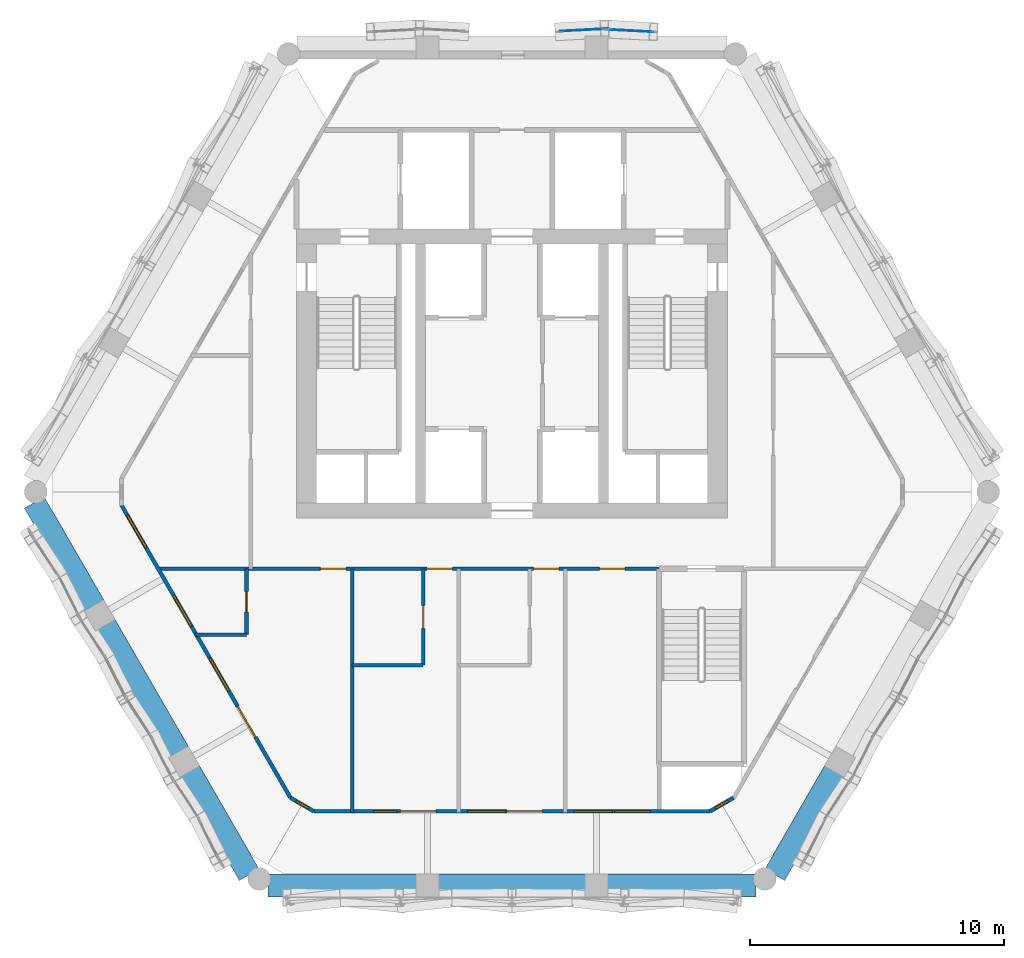
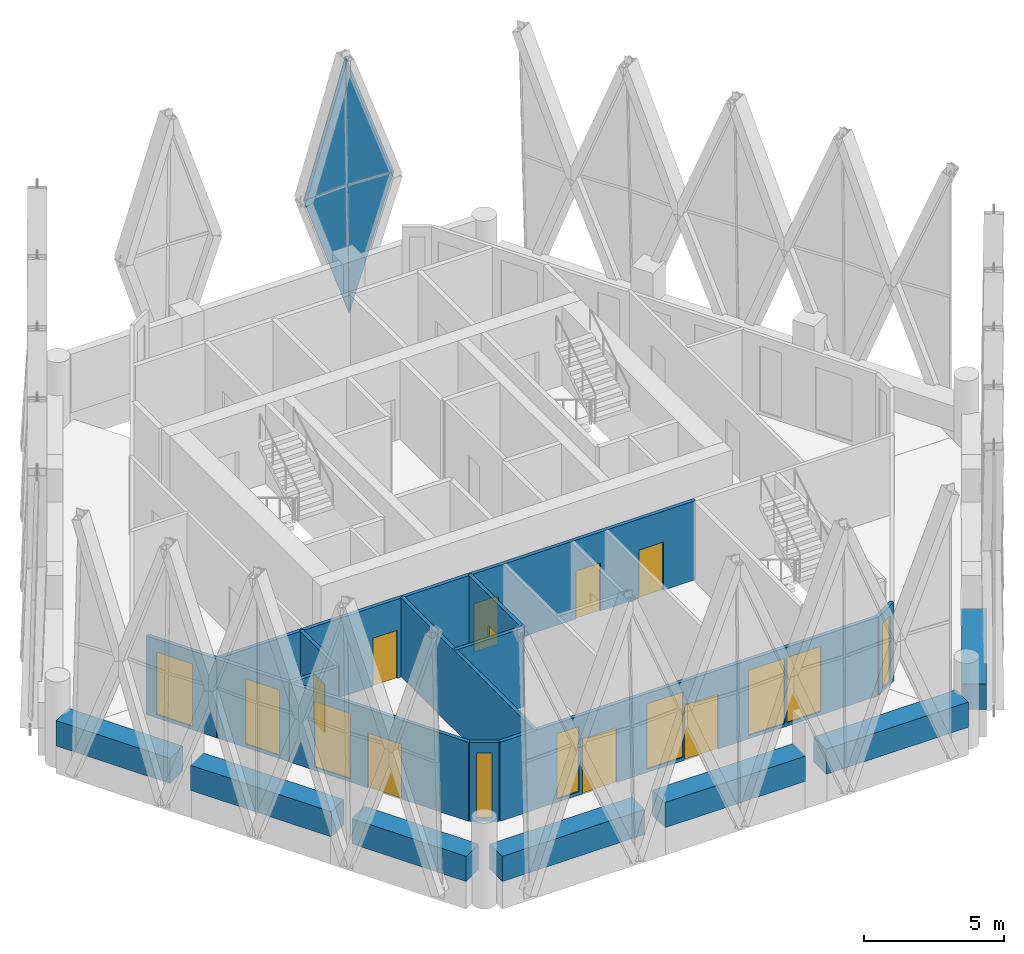
# One storey, part 12 of 22: 17 walls, 9 doors, 9 windows, 4 plates, 18 openings, 4 elements without a shape of their own.
"""IFC4 building model written with IfcOpenShell, lengths in metres."""

from ifc_helpers import new_model, si_unit, direction, frame, frame_2d, origin, place, context, subcontext, project, spatial, polyline, rectangle, outline, extrude, material, layer, layer_set, type_object, element, fill, aggregate, save


model = new_model("IFC4")

# Units and contexts
model_context = context("Model", 3, precision=1e-05, world=origin(), true_north=direction((0.0, 1.0)))
body_context = subcontext(model_context, "Body", "Model", "MODEL_VIEW")
ifc_project = project(units=[si_unit("LENGTHUNIT", "METRE"), si_unit("AREAUNIT", "SQUARE_METRE"), si_unit("VOLUMEUNIT", "CUBIC_METRE"), si_unit("PLANEANGLEUNIT", "RADIAN"), si_unit("MASSUNIT", "GRAM", prefix="KILO")], contexts=[model_context])

# Site, building, storey
site_placement = place(None, origin())
site = spatial("IfcSite", under=ifc_project, at=site_placement, CompositionType="ELEMENT")
building_placement = place(site_placement, origin())
building = spatial("IfcBuilding", under=site, at=building_placement, Name="Ostrander Bayou Hotel Tower", CompositionType="ELEMENT")
storey_placement = place(building_placement, frame((0.0, 0.0, 245.0)))
storey = spatial("IfcBuildingStorey", under=building, at=storey_placement, Name="L60", CompositionType="ELEMENT", Elevation=245.0)

# Curtain wall, plate
ifc_material_1 = material(Name="Aluminium and clear glass", Category="aluminium")
curtain_wall_type = type_object("IfcCurtainWallType", Name="CW-LAT lattice glazing", PredefinedType="NOTDEFINED", material=ifc_material_1)
curtain_wall_1_placement = place(storey_placement, origin())
curtain_wall_1 = element("IfcCurtainWall", 1, at=curtain_wall_1_placement, inside=storey, type_object=curtain_wall_type, Name="CW-LAT L60 N 1", PredefinedType="NOTDEFINED")
ifc_material_2 = material(Name="Clear laminated glass", Category="glass")
ifc_layer_1 = layer(ifc_material_2, 0.028076171875)
ifc_layer_set_1 = layer_set([ifc_layer_1], Name="CW-LA glazing panel 28 mm")
plate_type = type_object("IfcPlateType", Name="CW-LA glazing panel 28 mm", PredefinedType="CURTAIN_PANEL", material=ifc_layer_set_1)
plate_1_placement = place(storey_placement, frame((5.581787109375, 17.470703125, 5.02490234375), z_axis=(0.053329057142, 0.998576767754, 0.000671242473), x_axis=(-0.303164122078, 0.016830964082, -0.952789711181)))
plate_1 = element("IfcPlate", 2, at=plate_1_placement, type_object=plate_type, Name="CW-LAT panel 1", PredefinedType="CURTAIN_PANEL", context=body_context, shape_type="SweptSolid", body=[
    extrude(outline(polyline([(0.0, 0.0), (5.903716144274887, 2.220446049250313e-16), (0.5657382755701906, 1.7752830827348296), (0.0, 0.0)])), origin(), (0.0, 0.0, -1.0), 0.028076171875),
])
aggregate(curtain_wall_1, [plate_1])

curtain_wall_2_placement = place(storey_placement, origin())
curtain_wall_2 = element("IfcCurtainWall", 3, at=curtain_wall_2_placement, inside=storey, type_object=curtain_wall_type, Name="CW-LAT L60 N 2", PredefinedType="NOTDEFINED")
plate_2_placement = place(storey_placement, frame((5.581787109375, 17.470703125, 5.02490234375), z_axis=(0.053329057142, 0.998576767754, 0.000671242473), x_axis=(-0.324704022314, 0.016705162063, 0.945668142349)))
plate_2 = element("IfcPlate", 4, at=plate_2_placement, type_object=plate_type, Name="CW-LAT panel 2", PredefinedType="CURTAIN_PANEL", context=body_context, shape_type="SweptSolid", body=[
    extrude(outline(polyline([(0.0, 0.0), (5.948175420215724, 2.220446049250313e-16), (0.6058028210490418, -1.7620138371473237), (0.0, 0.0)])), origin(), (0.0, 0.0, -1.0), 0.028076171875),
])
aggregate(curtain_wall_2, [plate_2])

curtain_wall_3_placement = place(storey_placement, origin())
curtain_wall_3 = element("IfcCurtainWall", 5, at=curtain_wall_3_placement, inside=storey, type_object=curtain_wall_type, Name="CW-LAT L60 N 3", PredefinedType="NOTDEFINED")
plate_3_placement = place(storey_placement, frame((1.860595703125, 17.470703125, 5.02490234375), z_axis=(0.053329057142, -0.998576767754, 0.000671242473), x_axis=(0.324704022314, 0.016705162063, -0.945668142349)))
plate_3 = element("IfcPlate", 6, at=plate_3_placement, type_object=plate_type, Name="CW-LAT panel 3", PredefinedType="CURTAIN_PANEL", context=body_context, shape_type="SweptSolid", body=[
    extrude(outline(polyline([(0.0, 0.0), (5.948175420215724, -2.220446049250313e-16), (0.6058028210490418, 1.7620138371473237), (0.0, 0.0)])), origin(), (0.0, 0.0, -1.0), 0.028076171875),
])
aggregate(curtain_wall_3, [plate_3])

curtain_wall_4_placement = place(storey_placement, origin())
curtain_wall_4 = element("IfcCurtainWall", 7, at=curtain_wall_4_placement, inside=storey, type_object=curtain_wall_type, Name="CW-LAT L60 N 4", PredefinedType="NOTDEFINED")
plate_4_placement = place(storey_placement, frame((1.860595703125, 17.470703125, 5.02490234375), z_axis=(0.053329057142, -0.998576767754, 0.000671242473), x_axis=(0.303164122078, 0.016830964082, 0.952789711181)))
plate_4 = element("IfcPlate", 8, at=plate_4_placement, type_object=plate_type, Name="CW-LAT panel 4", PredefinedType="CURTAIN_PANEL", context=body_context, shape_type="SweptSolid", body=[
    extrude(outline(polyline([(0.0, 0.0), (5.903716144274887, -2.220446049250313e-16), (0.5657382755701906, -1.7752830827348296), (0.0, 0.0)])), origin(), (0.0, 0.0, -1.0), 0.028076171875),
])
aggregate(curtain_wall_4, [plate_4])

# Wall, openings, door, windows
ifc_material_3 = material(Name="Aluminium framed insulated wall", Category="aluminium")
ifc_layer_2 = layer(ifc_material_3, 0.14990234375)
ifc_layer_set_2 = layer_set([ifc_layer_2], Name="GW1 glass-line wall 150 mm")
wall_type_1 = type_object("IfcWallType", Name="GW1 glass-line wall 150 mm", PredefinedType="SOLIDWALL", material=ifc_layer_set_2)
wall_1_placement = place(storey_placement, frame((-15.387451171875, -1.197998046875, 0.0), z_axis=(0.0, 0.0, 1.0), x_axis=(0.499997087355, -0.866027085394, 0.0)))
wall_1 = element("IfcWall", 9, at=wall_1_placement, inside=storey, type_object=wall_type_1, Name="GW1 L60 SW 1", PredefinedType="SOLIDWALL", context=body_context, shape_type="SweptSolid", body=[
    extrude(rectangle(XDim=13.3125, YDim=0.14990234375, at=frame_2d((6.65625, 0.0))), origin(), (0.0, 0.0, 1.0), 3.449951171875),
])
opening_1_placement = place(wall_1_placement, frame((4.115234375, 0.0, 0.14990234375)))
opening_1 = element("IfcOpeningElement", 10, at=opening_1_placement, cuts=wall_1, Name="Opening W14", PredefinedType="OPENING", context=body_context, shape_type="SweptSolid", body=[
    extrude(rectangle(XDim=1.39990234375, YDim=2.85009765625, at=frame_2d((0.699951171875, 1.425048828125))), frame((0.0, 0.074951171875, 0.0), z_axis=(0.0, -1.0, 0.0), x_axis=(1.0, 0.0, 0.0)), (0.0, 0.0, 1.0), 0.14990234375),
])
opening_2_placement = place(wall_1_placement, frame((6.956298828125, 0.0, 0.14990234375)))
opening_2 = element("IfcOpeningElement", 11, at=opening_2_placement, cuts=wall_1, Name="Opening W4", PredefinedType="OPENING", context=body_context, shape_type="SweptSolid", body=[
    extrude(rectangle(XDim=1.5, YDim=2.85009765625, at=frame_2d((0.75, 1.425048828125))), frame((0.0, 0.074951171875, 0.0), z_axis=(0.0, -1.0, 0.0), x_axis=(1.0, 0.0, 0.0)), (0.0, 0.0, 1.0), 0.14990234375),
])
opening_3_placement = place(wall_1_placement, frame((9.15625, 0.0, 0.0)))
opening_3 = element("IfcOpeningElement", 12, at=opening_3_placement, cuts=wall_1, Name="Opening T60-800", PredefinedType="OPENING", context=body_context, shape_type="SweptSolid", body=[
    extrude(rectangle(XDim=1.39990234375, YDim=2.39990234375, at=frame_2d((0.699951171875, 1.199951171875))), frame((0.0, 0.074951171875, 0.0), z_axis=(0.0, -1.0, 0.0), x_axis=(1.0, 0.0, 0.0)), (0.0, 0.0, 1.0), 0.14990234375),
])
opening_4_placement = place(wall_1_placement, frame((0.427978515625, 0.0, 0.14990234375)))
opening_4 = element("IfcOpeningElement", 13, at=opening_4_placement, cuts=wall_1, Name="Opening W4", PredefinedType="OPENING", context=body_context, shape_type="SweptSolid", body=[
    extrude(rectangle(XDim=1.5, YDim=2.72998046875, at=frame_2d((0.75, 1.364990234375))), frame((0.0, 0.074951171875, 0.0), z_axis=(0.0, -1.0, 0.0), x_axis=(1.0, 0.0, 0.0)), (0.0, 0.0, 1.0), 0.14990234375),
])
ifc_material_4 = material(Name="Aluminium and clear glass", Category="aluminium")
door_type_1 = type_object("IfcDoorType", Name="SD4 sliding glass door 1400 mm, zone 4", OperationType="SLIDING_TO_LEFT", PredefinedType="DOOR", material=ifc_material_4)
door_1_placement = place(opening_3_placement, origin())
door_1 = element("IfcDoor", 14, at=door_1_placement, inside=storey, type_object=door_type_1, Name="SD4 L60 SW 2", OperationType="SLIDING_TO_RIGHT", OverallHeight=2.39990234375, OverallWidth=1.39990234375, PredefinedType="DOOR", context=body_context, shape_type="SweptSolid", body=[
    extrude(rectangle(XDim=1.39990234375, YDim=2.39990234375, at=frame_2d((0.699951171875, 1.199951171875))), frame((0.0, 0.02490234375, 0.0), z_axis=(0.0, -1.0, 0.0), x_axis=(1.0, 0.0, 0.0)), (0.0, 0.0, 1.0), 0.050048828125),
])
fill(opening_3, door_1)
ifc_material_5 = material(Name="Aluminium and clear glass", Category="aluminium")
window_type_1 = type_object("IfcWindowType", Name="W14 fixed window 1400 mm, bath bay, zone 4", PartitioningType="SINGLE_PANEL", PredefinedType="WINDOW", material=ifc_material_5)
window_1_placement = place(opening_1_placement, origin())
window_1 = element("IfcWindow", 15, at=window_1_placement, inside=storey, type_object=window_type_1, Name="W14 L60 SW 1", OverallHeight=2.85009765625, OverallWidth=1.39990234375, PartitioningType="SINGLE_PANEL", PredefinedType="WINDOW", context=body_context, shape_type="SweptSolid", body=[
    extrude(rectangle(XDim=1.39990234375, YDim=2.85009765625, at=frame_2d((0.699951171875, 1.425048828125))), frame((0.0, 0.030029296875, 0.0), z_axis=(0.0, -1.0, 0.0), x_axis=(1.0, 0.0, 0.0)), (0.0, 0.0, 1.0), 0.06005859375),
])
fill(opening_1, window_1)
ifc_material_6 = material(Name="Aluminium and clear glass", Category="aluminium")
window_type_2 = type_object("IfcWindowType", Name="W4 fixed window 1500 mm, zone 4", PartitioningType="SINGLE_PANEL", PredefinedType="WINDOW", material=ifc_material_6)
window_2_placement = place(opening_2_placement, origin())
window_2 = element("IfcWindow", 16, at=window_2_placement, inside=storey, type_object=window_type_2, Name="W4 L60 SW 2", OverallHeight=2.85009765625, OverallWidth=1.5, PartitioningType="SINGLE_PANEL", PredefinedType="WINDOW", context=body_context, shape_type="SweptSolid", body=[
    extrude(rectangle(XDim=1.5, YDim=2.85009765625, at=frame_2d((0.75, 1.425048828125))), frame((0.0, 0.030029296875, 0.0), z_axis=(0.0, -1.0, 0.0), x_axis=(1.0, 0.0, 0.0)), (0.0, 0.0, 1.0), 0.06005859375),
])
fill(opening_2, window_2)
window_3_placement = place(opening_4_placement, origin())
window_3 = element("IfcWindow", 17, at=window_3_placement, inside=storey, type_object=window_type_2, Name="W4 L60 SW E11", OverallHeight=2.72998046875, OverallWidth=1.5, PartitioningType="SINGLE_PANEL", PredefinedType="WINDOW", context=body_context, shape_type="SweptSolid", body=[
    extrude(rectangle(XDim=1.5, YDim=2.72998046875, at=frame_2d((0.75, 1.364990234375))), frame((0.0, 0.030029296875, 0.0), z_axis=(0.0, -1.0, 0.0), x_axis=(1.0, 0.0, 0.0)), (0.0, 0.0, 1.0), 0.06005859375),
])
fill(opening_4, window_3)

# Wall, openings, doors, windows
wall_2_placement = place(storey_placement, frame((-7.80908203125, -13.259521484375, 0.0), z_axis=(0.0, 0.0, 1.0), x_axis=(1.0, 0.0, 0.0)))
wall_2 = element("IfcWall", 18, at=wall_2_placement, inside=storey, type_object=wall_type_1, Name="GW1 L60 S 1", PredefinedType="SOLIDWALL", context=body_context, shape_type="SweptSolid", body=[
    extrude(rectangle(XDim=15.6181640625, YDim=0.14990234375, at=frame_2d((7.80908203125, 0.0))), origin(), (0.0, 0.0, 1.0), 3.449951171875),
])
opening_5_placement = place(wall_2_placement, frame((2.35888671875, 0.0, 0.14990234375)))
opening_5 = element("IfcOpeningElement", 19, at=opening_5_placement, cuts=wall_2, Name="Opening W18", PredefinedType="OPENING", context=body_context, shape_type="SweptSolid", body=[
    extrude(rectangle(XDim=0.89990234375, YDim=2.85009765625, at=frame_2d((0.449951171875, 1.425048828125))), frame((0.0, 0.074951171875, 0.0), z_axis=(0.0, -1.0, 0.0), x_axis=(1.0, 0.0, 0.0)), (0.0, 0.0, 1.0), 0.14990234375),
])
opening_6_placement = place(wall_2_placement, frame((3.408935546875, 0.0, 0.0)))
opening_6 = element("IfcOpeningElement", 20, at=opening_6_placement, cuts=wall_2, Name="Opening T60-801", PredefinedType="OPENING", context=body_context, shape_type="SweptSolid", body=[
    extrude(rectangle(XDim=1.39990234375, YDim=2.39990234375, at=frame_2d((0.699951171875, 1.199951171875))), frame((0.0, 0.074951171875, 0.0), z_axis=(0.0, -1.0, 0.0), x_axis=(1.0, 0.0, 0.0)), (0.0, 0.0, 1.0), 0.14990234375),
])
opening_7_placement = place(wall_2_placement, frame((6.05908203125, 0.0, 0.14990234375)))
opening_7 = element("IfcOpeningElement", 21, at=opening_7_placement, cuts=wall_2, Name="Opening W4", PredefinedType="OPENING", context=body_context, shape_type="SweptSolid", body=[
    extrude(rectangle(XDim=1.5, YDim=2.85009765625, at=frame_2d((0.75, 1.425048828125))), frame((0.0, 0.074951171875, 0.0), z_axis=(0.0, -1.0, 0.0), x_axis=(1.0, 0.0, 0.0)), (0.0, 0.0, 1.0), 0.14990234375),
])
opening_8_placement = place(wall_2_placement, frame((7.60888671875, 0.0, 0.0)))
opening_8 = element("IfcOpeningElement", 22, at=opening_8_placement, cuts=wall_2, Name="Opening T60-802", PredefinedType="OPENING", context=body_context, shape_type="SweptSolid", body=[
    extrude(rectangle(XDim=1.39990234375, YDim=2.39990234375, at=frame_2d((0.699951171875, 1.199951171875))), frame((0.0, 0.074951171875, 0.0), z_axis=(0.0, -1.0, 0.0), x_axis=(1.0, 0.0, 0.0)), (0.0, 0.0, 1.0), 0.14990234375),
])
opening_9_placement = place(wall_2_placement, frame((10.259033203125, 0.0, 0.14990234375)))
opening_9 = element("IfcOpeningElement", 23, at=opening_9_placement, cuts=wall_2, Name="Opening W4", PredefinedType="OPENING", context=body_context, shape_type="SweptSolid", body=[
    extrude(rectangle(XDim=1.5, YDim=2.85009765625, at=frame_2d((0.75, 1.425048828125))), frame((0.0, 0.074951171875, 0.0), z_axis=(0.0, -1.0, 0.0), x_axis=(1.0, 0.0, 0.0)), (0.0, 0.0, 1.0), 0.14990234375),
])
opening_10_placement = place(wall_2_placement, frame((11.85888671875, 0.0, 0.14990234375)))
opening_10 = element("IfcOpeningElement", 24, at=opening_10_placement, cuts=wall_2, Name="Opening W14", PredefinedType="OPENING", context=body_context, shape_type="SweptSolid", body=[
    extrude(rectangle(XDim=1.39990234375, YDim=2.85009765625, at=frame_2d((0.699951171875, 1.425048828125))), frame((0.0, 0.074951171875, 0.0), z_axis=(0.0, -1.0, 0.0), x_axis=(1.0, 0.0, 0.0)), (0.0, 0.0, 1.0), 0.14990234375),
])
door_2_placement = place(opening_6_placement, origin())
door_2 = element("IfcDoor", 25, at=door_2_placement, inside=storey, type_object=door_type_1, Name="SD4 L60 S 1", OperationType="SLIDING_TO_LEFT", OverallHeight=2.39990234375, OverallWidth=1.39990234375, PredefinedType="DOOR", context=body_context, shape_type="SweptSolid", body=[
    extrude(rectangle(XDim=1.39990234375, YDim=2.39990234375, at=frame_2d((0.699951171875, 1.199951171875))), frame((0.0, 0.02490234375, 0.0), z_axis=(0.0, -1.0, 0.0), x_axis=(1.0, 0.0, 0.0)), (0.0, 0.0, 1.0), 0.050048828125),
])
fill(opening_6, door_2)
door_3_placement = place(opening_8_placement, origin())
door_3 = element("IfcDoor", 26, at=door_3_placement, inside=storey, type_object=door_type_1, Name="SD4 L60 S 2", OperationType="SLIDING_TO_RIGHT", OverallHeight=2.39990234375, OverallWidth=1.39990234375, PredefinedType="DOOR", context=body_context, shape_type="SweptSolid", body=[
    extrude(rectangle(XDim=1.39990234375, YDim=2.39990234375, at=frame_2d((0.699951171875, 1.199951171875))), frame((0.0, 0.02490234375, 0.0), z_axis=(0.0, -1.0, 0.0), x_axis=(1.0, 0.0, 0.0)), (0.0, 0.0, 1.0), 0.050048828125),
])
fill(opening_8, door_3)
window_4_placement = place(opening_10_placement, origin())
window_4 = element("IfcWindow", 27, at=window_4_placement, inside=storey, type_object=window_type_1, Name="W14 L60 S 3", OverallHeight=2.85009765625, OverallWidth=1.39990234375, PartitioningType="SINGLE_PANEL", PredefinedType="WINDOW", context=body_context, shape_type="SweptSolid", body=[
    extrude(rectangle(XDim=1.39990234375, YDim=2.85009765625, at=frame_2d((0.699951171875, 1.425048828125))), frame((0.0, 0.030029296875, 0.0), z_axis=(0.0, -1.0, 0.0), x_axis=(1.0, 0.0, 0.0)), (0.0, 0.0, 1.0), 0.06005859375),
])
fill(opening_10, window_4)
ifc_material_7 = material(Name="Aluminium and clear glass", Category="aluminium")
window_type_3 = type_object("IfcWindowType", Name="W18 window 900 mm, zone 4", PartitioningType="SINGLE_PANEL", PredefinedType="WINDOW", material=ifc_material_7)
window_5_placement = place(opening_5_placement, origin())
window_5 = element("IfcWindow", 28, at=window_5_placement, inside=storey, type_object=window_type_3, Name="W18 L60 S 1", OverallHeight=2.85009765625, OverallWidth=0.89990234375, PartitioningType="SINGLE_PANEL", PredefinedType="WINDOW", context=body_context, shape_type="SweptSolid", body=[
    extrude(rectangle(XDim=0.89990234375, YDim=2.85009765625, at=frame_2d((0.449951171875, 1.425048828125))), frame((0.0, 0.030029296875, 0.0), z_axis=(0.0, -1.0, 0.0), x_axis=(1.0, 0.0, 0.0)), (0.0, 0.0, 1.0), 0.06005859375),
])
fill(opening_5, window_5)
window_6_placement = place(opening_7_placement, origin())
window_6 = element("IfcWindow", 29, at=window_6_placement, inside=storey, type_object=window_type_2, Name="W4 L60 S 2", OverallHeight=2.85009765625, OverallWidth=1.5, PartitioningType="SINGLE_PANEL", PredefinedType="WINDOW", context=body_context, shape_type="SweptSolid", body=[
    extrude(rectangle(XDim=1.5, YDim=2.85009765625, at=frame_2d((0.75, 1.425048828125))), frame((0.0, 0.030029296875, 0.0), z_axis=(0.0, -1.0, 0.0), x_axis=(1.0, 0.0, 0.0)), (0.0, 0.0, 1.0), 0.06005859375),
])
fill(opening_7, window_6)
window_7_placement = place(opening_9_placement, origin())
window_7 = element("IfcWindow", 30, at=window_7_placement, inside=storey, type_object=window_type_2, Name="W4 L60 S 3", OverallHeight=2.85009765625, OverallWidth=1.5, PartitioningType="SINGLE_PANEL", PredefinedType="WINDOW", context=body_context, shape_type="SweptSolid", body=[
    extrude(rectangle(XDim=1.5, YDim=2.85009765625, at=frame_2d((0.75, 1.425048828125))), frame((0.0, 0.030029296875, 0.0), z_axis=(0.0, -1.0, 0.0), x_axis=(1.0, 0.0, 0.0)), (0.0, 0.0, 1.0), 0.06005859375),
])
fill(opening_9, window_7)

# Wall, opening, window
wall_3_placement = place(storey_placement, frame((-8.731201171875, -12.72705078125, 0.0), z_axis=(0.0, 0.0, 1.0), x_axis=(0.865990848561, -0.500059846627, 0.0)))
wall_3 = element("IfcWall", 31, at=wall_3_placement, inside=storey, type_object=wall_type_1, Name="GW1 L60 corner 3", PredefinedType="SOLIDWALL", context=body_context, shape_type="SweptSolid", body=[
    extrude(rectangle(XDim=1.064697265625, YDim=0.14990234375, at=frame_2d((0.5322265625, 0.0))), origin(), (0.0, 0.0, 1.0), 3.449951171875),
])
opening_11_placement = place(wall_3_placement, frame((0.257568359375, 0.0, 0.14990234375)))
opening_11 = element("IfcOpeningElement", 32, at=opening_11_placement, cuts=wall_3, Name="Opening W19", PredefinedType="OPENING", context=body_context, shape_type="SweptSolid", body=[
    extrude(rectangle(XDim=0.550048828125, YDim=2.85009765625, at=frame_2d((0.27490234375, 1.425048828125))), frame((0.0, 0.074951171875, 0.0), z_axis=(0.0, -1.0, 0.0), x_axis=(1.0, 0.0, 0.0)), (0.0, 0.0, 1.0), 0.14990234375),
])
ifc_material_8 = material(Name="Aluminium and clear glass", Category="aluminium")
window_type_4 = type_object("IfcWindowType", Name="W19 corner window 550 mm", PartitioningType="SINGLE_PANEL", PredefinedType="WINDOW", material=ifc_material_8)
window_8_placement = place(opening_11_placement, origin())
window_8 = element("IfcWindow", 33, at=window_8_placement, inside=storey, type_object=window_type_4, Name="W19 L60 corner 3", OverallHeight=2.85009765625, OverallWidth=0.550048828125, PartitioningType="SINGLE_PANEL", PredefinedType="WINDOW", context=body_context, shape_type="SweptSolid", body=[
    extrude(rectangle(XDim=0.550048828125, YDim=2.85009765625, at=frame_2d((0.27490234375, 1.425048828125))), frame((0.0, 0.030029296875, 0.0), z_axis=(0.0, -1.0, 0.0), x_axis=(1.0, 0.0, 0.0)), (0.0, 0.0, 1.0), 0.06005859375),
])
fill(opening_11, window_8)

wall_4_placement = place(storey_placement, frame((7.80908203125, -13.259521484375, 0.0), z_axis=(0.0, 0.0, 1.0), x_axis=(0.865990848561, 0.500059846627, 0.0)))
wall_4 = element("IfcWall", 34, at=wall_4_placement, inside=storey, type_object=wall_type_1, Name="GW1 L60 corner 4", PredefinedType="SOLIDWALL", context=body_context, shape_type="SweptSolid", body=[
    extrude(rectangle(XDim=1.064697265625, YDim=0.14990234375, at=frame_2d((0.5322265625, 0.0))), origin(), (0.0, 0.0, 1.0), 3.449951171875),
])
opening_12_placement = place(wall_4_placement, frame((0.257568359375, 0.0, 0.14990234375)))
opening_12 = element("IfcOpeningElement", 35, at=opening_12_placement, cuts=wall_4, Name="Opening W19", PredefinedType="OPENING", context=body_context, shape_type="SweptSolid", body=[
    extrude(rectangle(XDim=0.550048828125, YDim=2.85009765625, at=frame_2d((0.27490234375, 1.425048828125))), frame((0.0, 0.074951171875, 0.0), z_axis=(0.0, -1.0, 0.0), x_axis=(1.0, 0.0, 0.0)), (0.0, 0.0, 1.0), 0.14990234375),
])
window_9_placement = place(opening_12_placement, origin())
window_9 = element("IfcWindow", 36, at=window_9_placement, inside=storey, type_object=window_type_4, Name="W19 L60 corner 4", OverallHeight=2.85009765625, OverallWidth=0.550048828125, PartitioningType="SINGLE_PANEL", PredefinedType="WINDOW", context=body_context, shape_type="SweptSolid", body=[
    extrude(rectangle(XDim=0.550048828125, YDim=2.85009765625, at=frame_2d((0.27490234375, 1.425048828125))), frame((0.0, 0.030029296875, 0.0), z_axis=(0.0, -1.0, 0.0), x_axis=(1.0, 0.0, 0.0)), (0.0, 0.0, 1.0), 0.06005859375),
])
fill(opening_12, window_9)

# Walls
ifc_material_9 = material(Name="Concrete f'c 40 MPa", Category="concrete")
ifc_layer_3 = layer(ifc_material_9, 0.89990234375)
ifc_layer_set_3 = layer_set([ifc_layer_3], Name="PA1 stone-faced parapet 900 mm")
wall_type_2 = type_object("IfcWallType", Name="PA1 stone-faced parapet 900 mm", PredefinedType="PARAPET", material=ifc_layer_set_3)
wall_5_placement = place(storey_placement, frame((-9.62548828125, -16.1845703125, 0.0), z_axis=(0.0, 0.0, 1.0), x_axis=(1.0, 0.0, 0.0)))
element("IfcWall", 37, at=wall_5_placement, inside=storey, type_object=wall_type_2, Name="PA1 L60 S-1", PredefinedType="PARAPET", context=body_context, shape_type="SweptSolid", body=[
    extrude(rectangle(XDim=5.8759765625, YDim=0.89990234375, at=frame_2d((2.93798828125, 0.0))), origin(), (0.0, 0.0, 1.0), 1.10009765625),
])
wall_6_placement = place(storey_placement, frame((-2.909423828125, -16.1845703125, 0.0), z_axis=(0.0, 0.0, 1.0), x_axis=(1.0, 0.0, 0.0)))
element("IfcWall", 38, at=wall_6_placement, inside=storey, type_object=wall_type_2, Name="PA1 L60 S-2", PredefinedType="PARAPET", context=body_context, shape_type="SweptSolid", body=[
    extrude(rectangle(XDim=5.81884765625, YDim=0.89990234375, at=frame_2d((2.909423828125, 0.0))), origin(), (0.0, 0.0, 1.0), 1.10009765625),
])
wall_7_placement = place(storey_placement, frame((3.74951171875, -16.1845703125, 0.0), z_axis=(0.0, 0.0, 1.0), x_axis=(1.0, 0.0, 0.0)))
element("IfcWall", 39, at=wall_7_placement, inside=storey, type_object=wall_type_2, Name="PA1 L60 S-3", PredefinedType="PARAPET", context=body_context, shape_type="SweptSolid", body=[
    extrude(rectangle(XDim=5.8759765625, YDim=0.89990234375, at=frame_2d((2.93798828125, 0.0))), origin(), (0.0, 0.0, 1.0), 1.10009765625),
])
ifc_material_10 = material(Name="Limestone masonry", Category="masonry")
ifc_layer_4 = layer(ifc_material_10, 0.89990234375)
ifc_layer_set_4 = layer_set([ifc_layer_4], Name="PA2 limestone parapet 900 mm")
wall_type_3 = type_object("IfcWallType", Name="PA2 limestone parapet 900 mm", PredefinedType="PARAPET", material=ifc_layer_set_4)
wall_8_placement = place(storey_placement, frame((-18.828857421875, -1.08740234375, 0.0), z_axis=(0.0, 0.0, 1.0), x_axis=(0.499980471007, -0.86603667856, 0.0)))
element("IfcWall", 40, at=wall_8_placement, inside=storey, type_object=wall_type_3, Name="PA2 L60 SW-1", PredefinedType="PARAPET", context=body_context, shape_type="SweptSolid", body=[
    extrude(rectangle(XDim=4.723388671875, YDim=0.89990234375, at=frame_2d((2.36181640625, 0.0))), origin(), (0.0, 0.0, 1.0), 1.10009765625),
])
wall_9_placement = place(storey_placement, frame((-16.047119140625, -5.905517578125, 0.0), z_axis=(0.0, 0.0, 1.0), x_axis=(0.500015433515, -0.866016493057, 0.0)))
element("IfcWall", 41, at=wall_9_placement, inside=storey, type_object=wall_type_3, Name="PA2 L60 SW-2", PredefinedType="PARAPET", context=body_context, shape_type="SweptSolid", body=[
    extrude(rectangle(XDim=5.818603515625, YDim=0.89990234375, at=frame_2d((2.9091796875, 0.0))), origin(), (0.0, 0.0, 1.0), 1.10009765625),
])
for number, where, z_axis, x_axis, name in (
    (42, (-12.7177734375, -11.672119140625, 0.0), (0.0, 0.0, 1.0), (0.500002852929, -0.866023756639, 0.0), "PA2 L60 SW-3"),
    (43, (10.356201171875, -15.762451171875, 0.0), (0.0, 0.0, 1.0), (0.500002852929, 0.866023756639, 0.0), "PA2 L60 SE-1"),
):
    element("IfcWall", number, at=place(storey_placement, frame(where, z_axis=z_axis, x_axis=x_axis)), inside=storey, type_object=wall_type_3, Name=name, PredefinedType="PARAPET", context=body_context, shape_type="SweptSolid", body=[
        extrude(rectangle(XDim=4.72314453125, YDim=0.89990234375, at=frame_2d((2.361572265625, 0.0))), origin(), (0.0, 0.0, 1.0), 1.10009765625),
    ])
ifc_material_11 = material(Name="Gypsum board partition", Category="finish")
ifc_layer_5 = layer(ifc_material_11, 0.14990234375)
ifc_layer_set_5 = layer_set([ifc_layer_5], Name="PT8 service band wall 150 mm, 1 hour")
wall_type_4 = type_object("IfcWallType", Name="PT8 service band wall 150 mm, 1 hour", PredefinedType="PARTITIONING", material=ifc_layer_set_5)
wall_10_placement = place(storey_placement, frame((-6.300048828125, -7.5, 0.0), z_axis=(0.0, 0.0, 1.0), x_axis=(1.0, 0.0, 0.0)))
element("IfcWall", 44, at=wall_10_placement, inside=storey, type_object=wall_type_4, Name="gw:L60:001", PredefinedType="PARTITIONING", context=body_context, shape_type="SweptSolid", body=[
    extrude(rectangle(XDim=2.800048828125, YDim=0.14990234375, at=frame_2d((1.39990234375, 0.0))), origin(), (0.0, 0.0, 1.0), 3.449951171875),
])
wall_11_placement = place(storey_placement, frame((-12.493896484375, -6.300048828125, 0.0), z_axis=(0.0, 0.0, 1.0), x_axis=(1.0, 0.0, 0.0)))
element("IfcWall", 45, at=wall_11_placement, inside=storey, type_object=wall_type_4, Name="gw:L60:003", PredefinedType="PARTITIONING", context=body_context, shape_type="SweptSolid", body=[
    extrude(rectangle(XDim=2.02880859375, YDim=0.14990234375, at=frame_2d((1.014404296875, 0.0))), origin(), (0.0, 0.0, 1.0), 3.449951171875),
])

# Wall, openings, doors
wall_12_placement = place(storey_placement, frame((-13.9951171875, -3.699951171875, 0.0), z_axis=(0.0, 0.0, 1.0), x_axis=(1.0, 0.0, 0.0)))
wall_12 = element("IfcWall", 46, at=wall_12_placement, inside=storey, type_object=wall_type_4, Name="gw:L60:004", PredefinedType="PARTITIONING", context=body_context, shape_type="SweptSolid", body=[
    extrude(rectangle(XDim=19.78515625, YDim=0.14990234375, at=frame_2d((9.892578125, 0.0))), origin(), (0.0, 0.0, 1.0), 3.449951171875),
])
opening_13_placement = place(wall_12_placement, frame((14.844970703125, 0.0, 0.0)))
opening_13 = element("IfcOpeningElement", 47, at=opening_13_placement, cuts=wall_12, Name="Opening T60-400", PredefinedType="OPENING", context=body_context, shape_type="SweptSolid", body=[
    extrude(rectangle(XDim=1.0, YDim=2.10009765625, at=frame_2d((0.5, 1.050048828125))), frame((0.0, 0.074951171875, 0.0), z_axis=(0.0, -1.0, 0.0), x_axis=(1.0, 0.0, 0.0)), (0.0, 0.0, 1.0), 0.14990234375),
])
opening_14_placement = place(wall_12_placement, frame((10.64501953125, 0.0, 0.0)))
opening_14 = element("IfcOpeningElement", 48, at=opening_14_placement, cuts=wall_12, Name="Opening T60-402", PredefinedType="OPENING", context=body_context, shape_type="SweptSolid", body=[
    extrude(rectangle(XDim=1.0, YDim=2.10009765625, at=frame_2d((0.5, 1.050048828125))), frame((0.0, 0.074951171875, 0.0), z_axis=(0.0, -1.0, 0.0), x_axis=(1.0, 0.0, 0.0)), (0.0, 0.0, 1.0), 0.14990234375),
])
opening_15_placement = place(wall_12_placement, frame((6.445068359375, 0.0, 0.0)))
opening_15 = element("IfcOpeningElement", 49, at=opening_15_placement, cuts=wall_12, Name="Opening T60-404", PredefinedType="OPENING", context=body_context, shape_type="SweptSolid", body=[
    extrude(rectangle(XDim=1.0, YDim=2.10009765625, at=frame_2d((0.5, 1.050048828125))), frame((0.0, 0.074951171875, 0.0), z_axis=(0.0, -1.0, 0.0), x_axis=(1.0, 0.0, 0.0)), (0.0, 0.0, 1.0), 0.14990234375),
])
opening_16_placement = place(wall_12_placement, frame((17.445068359375, 0.0, 0.0)))
opening_16 = element("IfcOpeningElement", 50, at=opening_16_placement, cuts=wall_12, Name="Opening T60-406", PredefinedType="OPENING", context=body_context, shape_type="SweptSolid", body=[
    extrude(rectangle(XDim=1.0, YDim=2.10009765625, at=frame_2d((0.5, 1.050048828125))), frame((0.0, 0.074951171875, 0.0), z_axis=(0.0, -1.0, 0.0), x_axis=(1.0, 0.0, 0.0)), (0.0, 0.0, 1.0), 0.14990234375),
])
ifc_material_12 = material(Name="Timber door leaf", Category="wood")
door_type_2 = type_object("IfcDoorType", Name="D1 guest room door 1000 x 2100 mm, 30 minute", OperationType="SINGLE_SWING_LEFT", PredefinedType="DOOR", material=ifc_material_12)
door_4_placement = place(opening_13_placement, origin())
door_4 = element("IfcDoor", 51, at=door_4_placement, inside=storey, type_object=door_type_2, Name="dr:L60:400", OperationType="SINGLE_SWING_RIGHT", OverallHeight=2.10009765625, OverallWidth=1.0, PredefinedType="DOOR", context=body_context, shape_type="SweptSolid", body=[
    extrude(rectangle(XDim=1.0, YDim=2.10009765625, at=frame_2d((0.5, 1.050048828125))), frame((0.0, 0.02490234375, 0.0), z_axis=(0.0, -1.0, 0.0), x_axis=(1.0, 0.0, 0.0)), (0.0, 0.0, 1.0), 0.050048828125),
])
fill(opening_13, door_4)
door_5_placement = place(opening_14_placement, origin())
door_5 = element("IfcDoor", 52, at=door_5_placement, inside=storey, type_object=door_type_2, Name="dr:L60:402", OperationType="SINGLE_SWING_RIGHT", OverallHeight=2.10009765625, OverallWidth=1.0, PredefinedType="DOOR", context=body_context, shape_type="SweptSolid", body=[
    extrude(rectangle(XDim=1.0, YDim=2.10009765625, at=frame_2d((0.5, 1.050048828125))), frame((0.0, 0.02490234375, 0.0), z_axis=(0.0, -1.0, 0.0), x_axis=(1.0, 0.0, 0.0)), (0.0, 0.0, 1.0), 0.050048828125),
])
fill(opening_14, door_5)
door_6_placement = place(opening_15_placement, origin())
door_6 = element("IfcDoor", 53, at=door_6_placement, inside=storey, type_object=door_type_2, Name="dr:L60:404", OperationType="SINGLE_SWING_RIGHT", OverallHeight=2.10009765625, OverallWidth=1.0, PredefinedType="DOOR", context=body_context, shape_type="SweptSolid", body=[
    extrude(rectangle(XDim=1.0, YDim=2.10009765625, at=frame_2d((0.5, 1.050048828125))), frame((0.0, 0.02490234375, 0.0), z_axis=(0.0, -1.0, 0.0), x_axis=(1.0, 0.0, 0.0)), (0.0, 0.0, 1.0), 0.050048828125),
])
fill(opening_15, door_6)
ifc_material_13 = material(Name="Timber door leaf", Category="wood")
door_type_3 = type_object("IfcDoorType", Name="D9 service door 1000 x 2100 mm, 30 minute", OperationType="SINGLE_SWING_LEFT", PredefinedType="DOOR", material=ifc_material_13)
door_7_placement = place(opening_16_placement, origin())
door_7 = element("IfcDoor", 54, at=door_7_placement, inside=storey, type_object=door_type_3, Name="dr:L60:406", OperationType="SINGLE_SWING_LEFT", OverallHeight=2.10009765625, OverallWidth=1.0, PredefinedType="DOOR", context=body_context, shape_type="SweptSolid", body=[
    extrude(rectangle(XDim=1.0, YDim=2.10009765625, at=frame_2d((0.5, 1.050048828125))), frame((0.0, 0.02490234375, 0.0), z_axis=(0.0, -1.0, 0.0), x_axis=(1.0, 0.0, 0.0)), (0.0, 0.0, 1.0), 0.050048828125),
])
fill(opening_16, door_7)

# Wall, opening, door
wall_13_placement = place(storey_placement, frame((-3.5, -7.5, 0.0), z_axis=(0.0, 0.0, 1.0), x_axis=(0.0, 1.0, 0.0)))
wall_13 = element("IfcWall", 55, at=wall_13_placement, inside=storey, type_object=wall_type_4, Name="gw:L60:013", PredefinedType="PARTITIONING", context=body_context, shape_type="SweptSolid", body=[
    extrude(rectangle(XDim=3.800048828125, YDim=0.14990234375, at=frame_2d((1.89990234375, 0.0))), origin(), (0.0, 0.0, 1.0), 3.449951171875),
])
opening_17_placement = place(wall_13_placement, frame((1.449951171875, 0.0, 0.0)))
opening_17 = element("IfcOpeningElement", 56, at=opening_17_placement, cuts=wall_13, Name="Opening T60-403", PredefinedType="OPENING", context=body_context, shape_type="SweptSolid", body=[
    extrude(rectangle(XDim=0.89990234375, YDim=2.10009765625, at=frame_2d((0.449951171875, 1.050048828125))), frame((0.0, 0.074951171875, 0.0), z_axis=(0.0, -1.0, 0.0), x_axis=(1.0, 0.0, 0.0)), (0.0, 0.0, 1.0), 0.14990234375),
])
ifc_material_14 = material(Name="Timber door leaf", Category="wood")
door_type_4 = type_object("IfcDoorType", Name="D14 bathroom door 900 x 2100 mm", OperationType="SINGLE_SWING_LEFT", PredefinedType="DOOR", material=ifc_material_14)
door_8_placement = place(opening_17_placement, origin())
door_8 = element("IfcDoor", 57, at=door_8_placement, inside=storey, type_object=door_type_4, Name="dr:L60:403", OperationType="SINGLE_SWING_RIGHT", OverallHeight=2.10009765625, OverallWidth=0.89990234375, PredefinedType="DOOR", context=body_context, shape_type="SweptSolid", body=[
    extrude(rectangle(XDim=0.89990234375, YDim=2.10009765625, at=frame_2d((0.449951171875, 1.050048828125))), frame((0.0, 0.02490234375, 0.0), z_axis=(0.0, -1.0, 0.0), x_axis=(1.0, 0.0, 0.0)), (0.0, 0.0, 1.0), 0.050048828125),
])
fill(opening_17, door_8)

# Wall
wall_14_placement = place(storey_placement, frame((-6.300048828125, -13.303955078125, 0.0), z_axis=(0.0, 0.0, 1.0), x_axis=(0.0, 1.0, 0.0)))
element("IfcWall", 58, at=wall_14_placement, inside=storey, type_object=wall_type_4, Name="gw:L60:014", PredefinedType="PARTITIONING", context=body_context, shape_type="SweptSolid", body=[
    extrude(rectangle(XDim=9.60400390625, YDim=0.14990234375, at=frame_2d((4.802001953125, 0.0))), origin(), (0.0, 0.0, 1.0), 3.449951171875),
])

# Wall, opening, door
wall_15_placement = place(storey_placement, frame((-10.465087890625, -6.300048828125, 0.0), z_axis=(0.0, 0.0, 1.0), x_axis=(0.0, 1.0, 0.0)))
wall_15 = element("IfcWall", 59, at=wall_15_placement, inside=storey, type_object=wall_type_4, Name="gw:L60:016", PredefinedType="PARTITIONING", context=body_context, shape_type="SweptSolid", body=[
    extrude(rectangle(XDim=2.60009765625, YDim=0.14990234375, at=frame_2d((1.300048828125, 0.0))), origin(), (0.0, 0.0, 1.0), 3.449951171875),
])
opening_18_placement = place(wall_15_placement, frame((0.89990234375, 0.0, 0.0)))
opening_18 = element("IfcOpeningElement", 60, at=opening_18_placement, cuts=wall_15, Name="Opening T60-405", PredefinedType="OPENING", context=body_context, shape_type="SweptSolid", body=[
    extrude(rectangle(XDim=0.800048828125, YDim=2.10009765625, at=frame_2d((0.39990234375, 1.050048828125))), frame((0.0, 0.074951171875, 0.0), z_axis=(0.0, -1.0, 0.0), x_axis=(1.0, 0.0, 0.0)), (0.0, 0.0, 1.0), 0.14990234375),
])
ifc_material_15 = material(Name="Timber door leaf", Category="wood")
door_type_5 = type_object("IfcDoorType", Name="D2 bathroom door 800 x 2100 mm", OperationType="SINGLE_SWING_LEFT", PredefinedType="DOOR", material=ifc_material_15)
door_9_placement = place(opening_18_placement, origin())
door_9 = element("IfcDoor", 61, at=door_9_placement, inside=storey, type_object=door_type_5, Name="dr:L60:405", OperationType="SINGLE_SWING_RIGHT", OverallHeight=2.10009765625, OverallWidth=0.800048828125, PredefinedType="DOOR", context=body_context, shape_type="SweptSolid", body=[
    extrude(rectangle(XDim=0.800048828125, YDim=2.10009765625, at=frame_2d((0.39990234375, 1.050048828125))), frame((0.0, 0.02490234375, 0.0), z_axis=(0.0, -1.0, 0.0), x_axis=(1.0, 0.0, 0.0)), (0.0, 0.0, 1.0), 0.050048828125),
])
fill(opening_18, door_9)

save(model, "model.ifc")
